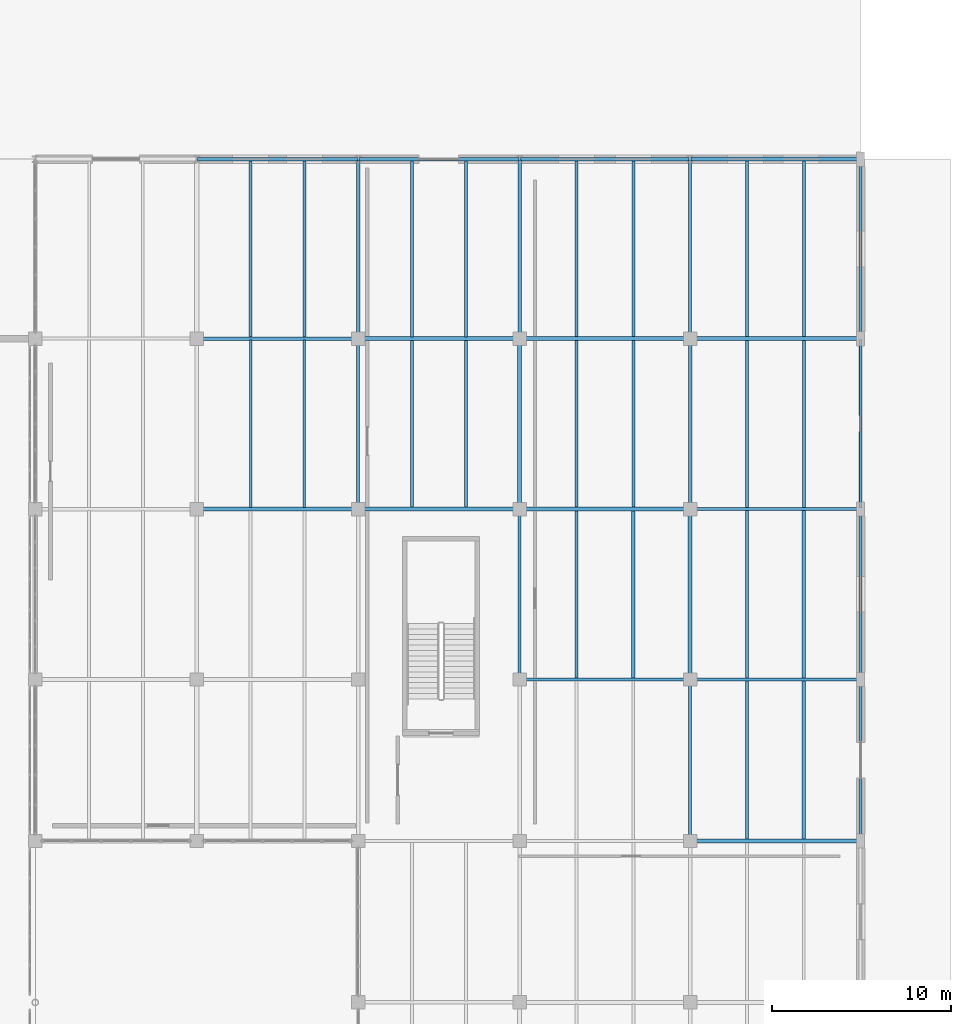
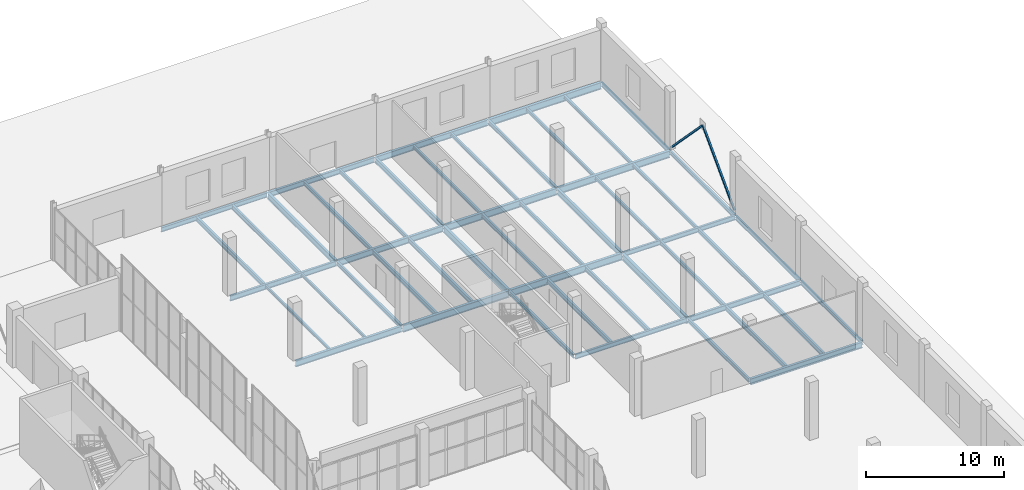
# One storey, part 63 of 103: 50 beams, 2 members.
"""IFC4 building model written with IfcOpenShell, lengths in metres."""

from ifc_helpers import new_model, si_unit, direction, frame, origin, origin_2d, place, context, subcontext, project, spatial, hollow_rectangle, i_section, extrude, material, material_profile, profile_set, type_object, element, save


model = new_model("IFC4")

# Units and contexts
model_context = context("Model", 3, precision=1e-05, world=origin(), true_north=direction((0.0, 1.0)))
body_context = subcontext(model_context, "Body", "Model", "MODEL_VIEW")
ifc_project = project(units=[si_unit("LENGTHUNIT", "METRE"), si_unit("AREAUNIT", "SQUARE_METRE"), si_unit("VOLUMEUNIT", "CUBIC_METRE"), si_unit("PLANEANGLEUNIT", "RADIAN"), si_unit("MASSUNIT", "GRAM", prefix="KILO")], contexts=[model_context])

# Site, building, storey
site_placement = place(None, origin())
site = spatial("IfcSite", under=ifc_project, at=site_placement, CompositionType="ELEMENT")
building_placement = place(site_placement, origin())
building = spatial("IfcBuilding", under=site, at=building_placement, Name="Marnock Terrace Opera House", CompositionType="ELEMENT")
storey_placement = place(building_placement, origin())
storey = spatial("IfcBuildingStorey", under=building, at=storey_placement, Name="L00", CompositionType="ELEMENT", Elevation=0.0)

# Beams
ifc_material_1 = material(Name="Steel Grade 350 (AS/NZS 3679.1)", Category="steel")
ifc_material_profile_1 = material_profile(ifc_material_1, i_section(OverallWidth=0.1708984375, OverallDepth=0.355712890625, WebThickness=0.00732421875, FlangeThickness=0.011474609375, FilletRadius=0.011474609375, at=origin_2d()))
ifc_profile_set_1 = profile_set([ifc_material_profile_1], Name="Steel Grade 350 (AS/NZS 3679.1)")
beam_type_1 = type_object("IfcBeamType", Name="BM-GIRD-360", PredefinedType="BEAM", material=ifc_profile_set_1)
for number, where, z_axis, x_axis, name in (
    (1, (136.0, 84.550048828125, -0.477783203125), (0.0, 1.0, 0.0), (-1.0, 0.0, 0.0), "L00 girder (X=136.0, 84.5..94.0)"),
    (2, (145.0, 75.050048828125, -0.477783203125), (0.0, 1.0, 0.0), (-1.0, 0.0, 0.0), "L00 girder (X=145.0, 75.0..84.5)"),
):
    element("IfcBeam", number, at=place(storey_placement, frame(where, z_axis=z_axis, x_axis=x_axis)), inside=storey, type_object=beam_type_1, Name=name, PredefinedType="BEAM", context=body_context, shape_type="SweptSolid", body=[
        extrude(i_section(OverallWidth=0.1708984375, OverallDepth=0.355712890625, WebThickness=0.00732421875, FlangeThickness=0.011474609375, FilletRadius=0.011474609375, at=origin_2d()), origin(), (0.0, 0.0, 1.0), 9.39990234375),
    ])
beam_1_placement = place(storey_placement, frame((154.5, 66.050048828125, -0.477783203125), z_axis=(0.0, 1.0, 0.0), x_axis=(-1.0, 0.0, 0.0)))
element("IfcBeam", 3, at=beam_1_placement, inside=storey, type_object=beam_type_1, Name="L00 girder (X=154.5, 66.0..75.0)", PredefinedType="BEAM", context=body_context, shape_type="SweptSolid", body=[
    extrude(i_section(OverallWidth=0.1708984375, OverallDepth=0.355712890625, WebThickness=0.00732421875, FlangeThickness=0.011474609375, FilletRadius=0.011474609375, at=origin_2d()), origin(), (0.0, 0.0, 1.0), 8.89990234375),
])
beam_2_placement = place(storey_placement, frame((154.5, 94.050048828125, -0.477783203125), z_axis=(0.0, 1.0, 0.0), x_axis=(-1.0, 0.0, 0.0)))
element("IfcBeam", 4, at=beam_2_placement, inside=storey, type_object=beam_type_1, Name="L00 girder (X=154.5, 94.0..104.0)", PredefinedType="BEAM", context=body_context, shape_type="SweptSolid", body=[
    extrude(i_section(OverallWidth=0.1708984375, OverallDepth=0.355712890625, WebThickness=0.00732421875, FlangeThickness=0.011474609375, FilletRadius=0.011474609375, at=origin_2d()), origin(), (0.0, 0.0, 1.0), 9.89990234375),
])
ifc_material_profile_2 = material_profile(ifc_material_1, i_section(OverallWidth=0.177978515625, OverallDepth=0.402587890625, WebThickness=0.007568359375, FlangeThickness=0.010986328125, FilletRadius=0.011474609375, at=origin_2d()))
ifc_profile_set_2 = profile_set([ifc_material_profile_2], Name="Steel Grade 350 (AS/NZS 3679.1)")
beam_type_2 = type_object("IfcBeamType", Name="BM-GIRD-410", PredefinedType="BEAM", material=ifc_profile_set_2)
for number, where, z_axis, x_axis, name in (
    (5, (145.050048828125, 75.0, -0.501220703125), (1.0, 0.0, 0.0), (0.0, 1.0, 0.0), "L00 girder (145.0..154.5, Y=75.0)"),
    (6, (154.550048828125, 84.5, -0.501220703125), (1.0, 0.0, 0.0), (0.0, 1.0, 0.0), "L00 girder (154.5..164.0, Y=84.5)"),
):
    element("IfcBeam", number, at=place(storey_placement, frame(where, z_axis=z_axis, x_axis=x_axis)), inside=storey, type_object=beam_type_2, Name=name, PredefinedType="BEAM", context=body_context, shape_type="SweptSolid", body=[
        extrude(i_section(OverallWidth=0.177978515625, OverallDepth=0.402587890625, WebThickness=0.007568359375, FlangeThickness=0.010986328125, FilletRadius=0.011474609375, at=origin_2d()), origin(), (0.0, 0.0, 1.0), 9.39990234375),
    ])
beam_3_placement = place(storey_placement, frame((127.050048828125, 104.0, -0.501220703125), z_axis=(1.0, 0.0, 0.0), x_axis=(0.0, 1.0, 0.0)))
element("IfcBeam", 7, at=beam_3_placement, inside=storey, type_object=beam_type_2, Name="L00 girder (127.0..136.0, Y=104.0)", PredefinedType="BEAM", context=body_context, shape_type="SweptSolid", body=[
    extrude(i_section(OverallWidth=0.177978515625, OverallDepth=0.402587890625, WebThickness=0.007568359375, FlangeThickness=0.010986328125, FilletRadius=0.011474609375, at=origin_2d()), origin(), (0.0, 0.0, 1.0), 8.89990234375),
])
ifc_material_profile_3 = material_profile(ifc_material_1, i_section(OverallWidth=0.19091796875, OverallDepth=0.46044921875, WebThickness=0.010009765625, FlangeThickness=0.01611328125, FilletRadius=0.011474609375, at=origin_2d()))
ifc_profile_set_3 = profile_set([ifc_material_profile_3], Name="Steel Grade 350 (AS/NZS 3679.1)")
beam_type_3 = type_object("IfcBeamType", Name="BM-GIRD-460A", PredefinedType="BEAM", material=ifc_profile_set_3)
beam_4_placement = place(storey_placement, frame((154.550048828125, 75.0, -0.5302734375), z_axis=(1.0, 0.0, 0.0), x_axis=(0.0, 1.0, 0.0)))
element("IfcBeam", 8, at=beam_4_placement, inside=storey, type_object=beam_type_3, Name="L00 girder (154.5..164.0, Y=75.0)", PredefinedType="BEAM", context=body_context, shape_type="SweptSolid", body=[
    extrude(i_section(OverallWidth=0.19091796875, OverallDepth=0.46044921875, WebThickness=0.010009765625, FlangeThickness=0.01611328125, FilletRadius=0.011474609375, at=origin_2d()), origin(), (0.0, 0.0, 1.0), 9.39990234375),
])
for number, where, z_axis, x_axis, name in (
    (9, (127.050048828125, 94.0, -0.5302734375), (1.0, 0.0, 0.0), (0.0, 1.0, 0.0), "L00 girder (127.0..136.0, Y=94.0)"),
    (10, (136.050048828125, 104.0, -0.5302734375), (1.0, 0.0, 0.0), (0.0, 1.0, 0.0), "L00 girder (136.0..145.0, Y=104.0)"),
):
    element("IfcBeam", number, at=place(storey_placement, frame(where, z_axis=z_axis, x_axis=x_axis)), inside=storey, type_object=beam_type_3, Name=name, PredefinedType="BEAM", context=body_context, shape_type="SweptSolid", body=[
        extrude(i_section(OverallWidth=0.19091796875, OverallDepth=0.46044921875, WebThickness=0.010009765625, FlangeThickness=0.01611328125, FilletRadius=0.011474609375, at=origin_2d()), origin(), (0.0, 0.0, 1.0), 8.89990234375),
    ])
ifc_material_profile_4 = material_profile(ifc_material_1, i_section(OverallWidth=0.18994140625, OverallDepth=0.45751953125, WebThickness=0.009033203125, FlangeThickness=0.014404296875, FilletRadius=0.011474609375, at=origin_2d()))
ifc_profile_set_4 = profile_set([ifc_material_profile_4], Name="Steel Grade 350 (AS/NZS 3679.1)")
beam_type_4 = type_object("IfcBeamType", Name="BM-GIRD-460B", PredefinedType="BEAM", material=ifc_profile_set_4)
beam_5_placement = place(storey_placement, frame((145.0, 94.050048828125, -0.52880859375), z_axis=(0.0, 1.0, 0.0), x_axis=(-1.0, 0.0, 0.0)))
element("IfcBeam", 11, at=beam_5_placement, inside=storey, type_object=beam_type_4, Name="L00 girder (X=145.0, 94.0..104.0)", PredefinedType="BEAM", context=body_context, shape_type="SweptSolid", body=[
    extrude(i_section(OverallWidth=0.18994140625, OverallDepth=0.45751953125, WebThickness=0.009033203125, FlangeThickness=0.014404296875, FilletRadius=0.011474609375, at=origin_2d()), origin(), (0.0, 0.0, 1.0), 9.89990234375),
])
ifc_material_profile_5 = material_profile(ifc_material_1, i_section(OverallWidth=0.208984375, OverallDepth=0.532958984375, WebThickness=0.01025390625, FlangeThickness=0.015625, FilletRadius=0.013916015625, at=origin_2d()))
ifc_profile_set_5 = profile_set([ifc_material_profile_5], Name="Steel Grade 350 (AS/NZS 3679.1)")
beam_type_5 = type_object("IfcBeamType", Name="BM-GIRD-530A", PredefinedType="BEAM", material=ifc_profile_set_5)
beam_6_placement = place(storey_placement, frame((154.550048828125, 66.0, -0.56640625), z_axis=(1.0, 0.0, 0.0), x_axis=(0.0, 1.0, 0.0)))
element("IfcBeam", 12, at=beam_6_placement, inside=storey, type_object=beam_type_5, Name="L00 girder (154.5..164.0, Y=66.0)", PredefinedType="BEAM", context=body_context, shape_type="SweptSolid", body=[
    extrude(i_section(OverallWidth=0.208984375, OverallDepth=0.532958984375, WebThickness=0.01025390625, FlangeThickness=0.015625, FilletRadius=0.013916015625, at=origin_2d()), origin(), (0.0, 0.0, 1.0), 9.39990234375),
])
for number, where, z_axis, x_axis, name in (
    (13, (127.050048828125, 84.5, -0.56640625), (1.0, 0.0, 0.0), (0.0, 1.0, 0.0), "L00 girder (127.0..136.0, Y=84.5)"),
    (14, (136.050048828125, 94.0, -0.56640625), (1.0, 0.0, 0.0), (0.0, 1.0, 0.0), "L00 girder (136.0..145.0, Y=94.0)"),
):
    element("IfcBeam", number, at=place(storey_placement, frame(where, z_axis=z_axis, x_axis=x_axis)), inside=storey, type_object=beam_type_5, Name=name, PredefinedType="BEAM", context=body_context, shape_type="SweptSolid", body=[
        extrude(i_section(OverallWidth=0.208984375, OverallDepth=0.532958984375, WebThickness=0.01025390625, FlangeThickness=0.015625, FilletRadius=0.013916015625, at=origin_2d()), origin(), (0.0, 0.0, 1.0), 8.89990234375),
    ])
beam_7_placement = place(storey_placement, frame((145.050048828125, 104.0, -0.56640625), z_axis=(1.0, 0.0, 0.0), x_axis=(0.0, 1.0, 0.0)))
element("IfcBeam", 15, at=beam_7_placement, inside=storey, type_object=beam_type_5, Name="L00 girder (145.0..154.5, Y=104.0)", PredefinedType="BEAM", context=body_context, shape_type="SweptSolid", body=[
    extrude(i_section(OverallWidth=0.208984375, OverallDepth=0.532958984375, WebThickness=0.01025390625, FlangeThickness=0.015625, FilletRadius=0.013916015625, at=origin_2d()), origin(), (0.0, 0.0, 1.0), 9.39990234375),
])
ifc_material_profile_6 = material_profile(ifc_material_1, i_section(OverallWidth=0.208984375, OverallDepth=0.528076171875, WebThickness=0.009521484375, FlangeThickness=0.01318359375, FilletRadius=0.013916015625, at=origin_2d()))
ifc_profile_set_6 = profile_set([ifc_material_profile_6], Name="Steel Grade 350 (AS/NZS 3679.1)")
beam_type_6 = type_object("IfcBeamType", Name="BM-GIRD-530B", PredefinedType="BEAM", material=ifc_profile_set_6)
beam_8_placement = place(storey_placement, frame((136.0, 94.050048828125, -0.56396484375), z_axis=(0.0, 1.0, 0.0), x_axis=(-1.0, 0.0, 0.0)))
element("IfcBeam", 16, at=beam_8_placement, inside=storey, type_object=beam_type_6, Name="L00 girder (X=136.0, 94.0..104.0)", PredefinedType="BEAM", context=body_context, shape_type="SweptSolid", body=[
    extrude(i_section(OverallWidth=0.208984375, OverallDepth=0.528076171875, WebThickness=0.009521484375, FlangeThickness=0.01318359375, FilletRadius=0.013916015625, at=origin_2d()), origin(), (0.0, 0.0, 1.0), 9.89990234375),
])
beam_9_placement = place(storey_placement, frame((154.5, 84.550048828125, -0.56396484375), z_axis=(0.0, 1.0, 0.0), x_axis=(-1.0, 0.0, 0.0)))
element("IfcBeam", 17, at=beam_9_placement, inside=storey, type_object=beam_type_6, Name="L00 girder (X=154.5, 84.5..94.0)", PredefinedType="BEAM", context=body_context, shape_type="SweptSolid", body=[
    extrude(i_section(OverallWidth=0.208984375, OverallDepth=0.528076171875, WebThickness=0.009521484375, FlangeThickness=0.01318359375, FilletRadius=0.013916015625, at=origin_2d()), origin(), (0.0, 0.0, 1.0), 9.39990234375),
])
ifc_material_profile_7 = material_profile(ifc_material_1, i_section(OverallWidth=0.22900390625, OverallDepth=0.611572265625, WebThickness=0.011962890625, FlangeThickness=0.01953125, FilletRadius=0.013916015625, at=origin_2d()))
ifc_profile_set_7 = profile_set([ifc_material_profile_7], Name="Steel Grade 350 (AS/NZS 3679.1)")
beam_type_7 = type_object("IfcBeamType", Name="BM-GIRD-610A", PredefinedType="BEAM", material=ifc_profile_set_7)
for number, where, z_axis, x_axis, name in (
    (18, (145.050048828125, 84.5, -0.605712890625), (1.0, 0.0, 0.0), (0.0, 1.0, 0.0), "L00 girder (145.0..154.5, Y=84.5)"),
    (19, (154.550048828125, 94.0, -0.605712890625), (1.0, 0.0, 0.0), (0.0, 1.0, 0.0), "L00 girder (154.5..164.0, Y=94.0)"),
):
    element("IfcBeam", number, at=place(storey_placement, frame(where, z_axis=z_axis, x_axis=x_axis)), inside=storey, type_object=beam_type_7, Name=name, PredefinedType="BEAM", context=body_context, shape_type="SweptSolid", body=[
        extrude(i_section(OverallWidth=0.22900390625, OverallDepth=0.611572265625, WebThickness=0.011962890625, FlangeThickness=0.01953125, FilletRadius=0.013916015625, at=origin_2d()), origin(), (0.0, 0.0, 1.0), 9.39990234375),
    ])
ifc_material_profile_8 = material_profile(ifc_material_1, i_section(OverallWidth=0.22802734375, OverallDepth=0.60693359375, WebThickness=0.01123046875, FlangeThickness=0.017333984375, FilletRadius=0.013916015625, at=origin_2d()))
ifc_profile_set_8 = profile_set([ifc_material_profile_8], Name="Steel Grade 350 (AS/NZS 3679.1)")
beam_type_8 = type_object("IfcBeamType", Name="BM-GIRD-610B", PredefinedType="BEAM", material=ifc_profile_set_8)
beam_10_placement = place(storey_placement, frame((136.050048828125, 84.5, -0.603515625), z_axis=(1.0, 0.0, 0.0), x_axis=(0.0, 1.0, 0.0)))
element("IfcBeam", 20, at=beam_10_placement, inside=storey, type_object=beam_type_8, Name="L00 girder (136.0..145.0, Y=84.5)", PredefinedType="BEAM", context=body_context, shape_type="SweptSolid", body=[
    extrude(i_section(OverallWidth=0.22802734375, OverallDepth=0.60693359375, WebThickness=0.01123046875, FlangeThickness=0.017333984375, FilletRadius=0.013916015625, at=origin_2d()), origin(), (0.0, 0.0, 1.0), 8.89990234375),
])
for number, where, z_axis, x_axis, name in (
    (21, (145.050048828125, 94.0, -0.603515625), (1.0, 0.0, 0.0), (0.0, 1.0, 0.0), "L00 girder (145.0..154.5, Y=94.0)"),
    (22, (154.550048828125, 104.0, -0.603515625), (1.0, 0.0, 0.0), (0.0, 1.0, 0.0), "L00 girder (154.5..164.0, Y=104.0)"),
):
    element("IfcBeam", number, at=place(storey_placement, frame(where, z_axis=z_axis, x_axis=x_axis)), inside=storey, type_object=beam_type_8, Name=name, PredefinedType="BEAM", context=body_context, shape_type="SweptSolid", body=[
        extrude(i_section(OverallWidth=0.22802734375, OverallDepth=0.60693359375, WebThickness=0.01123046875, FlangeThickness=0.017333984375, FilletRadius=0.013916015625, at=origin_2d()), origin(), (0.0, 0.0, 1.0), 9.39990234375),
    ])
ifc_material_profile_9 = material_profile(ifc_material_1, i_section(OverallWidth=0.22802734375, OverallDepth=0.60205078125, WebThickness=0.010498046875, FlangeThickness=0.014892578125, FilletRadius=0.013916015625, at=origin_2d()))
ifc_profile_set_9 = profile_set([ifc_material_profile_9], Name="Steel Grade 350 (AS/NZS 3679.1)")
beam_type_9 = type_object("IfcBeamType", Name="BM-GIRD-610C", PredefinedType="BEAM", material=ifc_profile_set_9)
for number, where, z_axis, x_axis, name in (
    (23, (145.0, 84.550048828125, -0.60107421875), (0.0, 1.0, 0.0), (-1.0, 0.0, 0.0), "L00 girder (X=145.0, 84.5..94.0)"),
    (24, (154.5, 75.050048828125, -0.60107421875), (0.0, 1.0, 0.0), (-1.0, 0.0, 0.0), "L00 girder (X=154.5, 75.0..84.5)"),
):
    element("IfcBeam", number, at=place(storey_placement, frame(where, z_axis=z_axis, x_axis=x_axis)), inside=storey, type_object=beam_type_9, Name=name, PredefinedType="BEAM", context=body_context, shape_type="SweptSolid", body=[
        extrude(i_section(OverallWidth=0.22802734375, OverallDepth=0.60205078125, WebThickness=0.010498046875, FlangeThickness=0.014892578125, FilletRadius=0.013916015625, at=origin_2d()), origin(), (0.0, 0.0, 1.0), 9.39990234375),
    ])
ifc_material_profile_10 = material_profile(ifc_material_1, i_section(OverallWidth=0.14599609375, OverallDepth=0.256103515625, WebThickness=0.00634765625, FlangeThickness=0.010986328125, FilletRadius=0.0087890625, at=origin_2d()))
ifc_profile_set_10 = profile_set([ifc_material_profile_10], Name="Steel Grade 350 (AS/NZS 3679.1)")
beam_type_10 = type_object("IfcBeamType", Name="BM-JOIST-250", PredefinedType="JOIST", material=ifc_profile_set_10)
for number, where, z_axis, x_axis, name in (
    (25, (130.0, 84.599609375, -0.427978515625), (0.0, 1.0, 0.0), (-1.0, 0.0, 0.0), "L00 secondary joist 14.10.1"),
    (26, (133.0, 84.599609375, -0.427978515625), (0.0, 1.0, 0.0), (-1.0, 0.0, 0.0), "L00 secondary joist 14.10.2"),
):
    element("IfcBeam", number, at=place(storey_placement, frame(where, z_axis=z_axis, x_axis=x_axis)), inside=storey, type_object=beam_type_10, Name=name, PredefinedType="JOIST", context=body_context, shape_type="SweptSolid", body=[
        extrude(i_section(OverallWidth=0.14599609375, OverallDepth=0.256103515625, WebThickness=0.00634765625, FlangeThickness=0.010986328125, FilletRadius=0.0087890625, at=origin_2d()), origin(), (0.0, 0.0, 1.0), 9.309814453125),
    ])
ifc_material_profile_11 = material_profile(ifc_material_1, i_section(OverallWidth=0.166015625, OverallDepth=0.30712890625, WebThickness=0.006591796875, FlangeThickness=0.01171875, FilletRadius=0.011474609375, at=origin_2d()))
ifc_profile_set_11 = profile_set([ifc_material_profile_11], Name="Steel Grade 350 (AS/NZS 3679.1)")
beam_type_11 = type_object("IfcBeamType", Name="BM-JOIST-310A", PredefinedType="JOIST", material=ifc_profile_set_11)
for number, where, z_axis, x_axis, name in (
    (27, (148.166748046875, 94.10888671875, -0.45361328125), (0.0, 1.0, 0.0), (-1.0, 0.0, 0.0), "L00 secondary joist 16.11.1"),
    (28, (151.333251953125, 94.10888671875, -0.45361328125), (0.0, 1.0, 0.0), (-1.0, 0.0, 0.0), "L00 secondary joist 16.11.2"),
):
    element("IfcBeam", number, at=place(storey_placement, frame(where, z_axis=z_axis, x_axis=x_axis)), inside=storey, type_object=beam_type_11, Name=name, PredefinedType="JOIST", context=body_context, shape_type="SweptSolid", body=[
        extrude(i_section(OverallWidth=0.166015625, OverallDepth=0.30712890625, WebThickness=0.006591796875, FlangeThickness=0.01171875, FilletRadius=0.011474609375, at=origin_2d()), origin(), (0.0, 0.0, 1.0), 9.79150390625),
    ])
for number, where, z_axis, x_axis, name in (
    (29, (157.666748046875, 84.583984375, -0.45361328125), (0.0, 1.0, 0.0), (-1.0, 0.0, 0.0), "L00 secondary joist 17.10.1"),
    (30, (160.833251953125, 84.583984375, -0.45361328125), (0.0, 1.0, 0.0), (-1.0, 0.0, 0.0), "L00 secondary joist 17.10.2"),
):
    element("IfcBeam", number, at=place(storey_placement, frame(where, z_axis=z_axis, x_axis=x_axis)), inside=storey, type_object=beam_type_11, Name=name, PredefinedType="JOIST", context=body_context, shape_type="SweptSolid", body=[
        extrude(i_section(OverallWidth=0.166015625, OverallDepth=0.30712890625, WebThickness=0.006591796875, FlangeThickness=0.01171875, FilletRadius=0.011474609375, at=origin_2d()), origin(), (0.0, 0.0, 1.0), 9.306396484375),
    ])
ifc_material_profile_12 = material_profile(ifc_material_1, i_section(OverallWidth=0.1650390625, OverallDepth=0.3037109375, WebThickness=0.006103515625, FlangeThickness=0.01025390625, FilletRadius=0.011474609375, at=origin_2d()))
ifc_profile_set_12 = profile_set([ifc_material_profile_12], Name="Steel Grade 350 (AS/NZS 3679.1)")
beam_type_12 = type_object("IfcBeamType", Name="BM-JOIST-310B", PredefinedType="JOIST", material=ifc_profile_set_12)
for number, where, z_axis, x_axis, name in (
    (31, (157.666748046875, 94.109619140625, -0.451904296875), (0.0, 1.0, 0.0), (-1.0, 0.0, 0.0), "L00 secondary joist 17.11.1"),
    (32, (160.833251953125, 94.109619140625, -0.451904296875), (0.0, 1.0, 0.0), (-1.0, 0.0, 0.0), "L00 secondary joist 17.11.2"),
):
    element("IfcBeam", number, at=place(storey_placement, frame(where, z_axis=z_axis, x_axis=x_axis)), inside=storey, type_object=beam_type_12, Name=name, PredefinedType="JOIST", context=body_context, shape_type="SweptSolid", body=[
        extrude(i_section(OverallWidth=0.1650390625, OverallDepth=0.3037109375, WebThickness=0.006103515625, FlangeThickness=0.01025390625, FilletRadius=0.011474609375, at=origin_2d()), origin(), (0.0, 0.0, 1.0), 9.781494140625),
    ])
ifc_material_profile_13 = material_profile(ifc_material_1, i_section(OverallWidth=0.172119140625, OverallDepth=0.358642578125, WebThickness=0.008056640625, FlangeThickness=0.012939453125, FilletRadius=0.011474609375, at=origin_2d()))
ifc_profile_set_13 = profile_set([ifc_material_profile_13], Name="Steel Grade 350 (AS/NZS 3679.1)")
beam_type_13 = type_object("IfcBeamType", Name="BM-JOIST-360", PredefinedType="JOIST", material=ifc_profile_set_13)
for number, where, z_axis, x_axis, name in (
    (33, (139.0, 94.099609375, -0.479248046875), (0.0, 1.0, 0.0), (-1.0, 0.0, 0.0), "L00 secondary joist 15.11.1"),
    (34, (142.0, 94.099609375, -0.479248046875), (0.0, 1.0, 0.0), (-1.0, 0.0, 0.0), "L00 secondary joist 15.11.2"),
):
    element("IfcBeam", number, at=place(storey_placement, frame(where, z_axis=z_axis, x_axis=x_axis)), inside=storey, type_object=beam_type_13, Name=name, PredefinedType="JOIST", context=body_context, shape_type="SweptSolid", body=[
        extrude(i_section(OverallWidth=0.172119140625, OverallDepth=0.358642578125, WebThickness=0.008056640625, FlangeThickness=0.012939453125, FilletRadius=0.011474609375, at=origin_2d()), origin(), (0.0, 0.0, 1.0), 9.809814453125),
    ])
for number, where, z_axis, x_axis, name in (
    (35, (148.166748046875, 84.609619140625, -0.479248046875), (0.0, 1.0, 0.0), (-1.0, 0.0, 0.0), "L00 secondary joist 16.10.1"),
    (36, (151.333251953125, 84.609619140625, -0.479248046875), (0.0, 1.0, 0.0), (-1.0, 0.0, 0.0), "L00 secondary joist 16.10.2"),
):
    element("IfcBeam", number, at=place(storey_placement, frame(where, z_axis=z_axis, x_axis=x_axis)), inside=storey, type_object=beam_type_13, Name=name, PredefinedType="JOIST", context=body_context, shape_type="SweptSolid", body=[
        extrude(i_section(OverallWidth=0.172119140625, OverallDepth=0.358642578125, WebThickness=0.008056640625, FlangeThickness=0.012939453125, FilletRadius=0.011474609375, at=origin_2d()), origin(), (0.0, 0.0, 1.0), 9.281494140625),
    ])
for number, where, z_axis, x_axis, name in (
    (37, (157.666748046875, 75.090576171875, -0.479248046875), (0.0, 1.0, 0.0), (-1.0, 0.0, 0.0), "L00 secondary joist 17.9.1"),
    (38, (160.833251953125, 75.090576171875, -0.479248046875), (0.0, 1.0, 0.0), (-1.0, 0.0, 0.0), "L00 secondary joist 17.9.2"),
):
    element("IfcBeam", number, at=place(storey_placement, frame(where, z_axis=z_axis, x_axis=x_axis)), inside=storey, type_object=beam_type_13, Name=name, PredefinedType="JOIST", context=body_context, shape_type="SweptSolid", body=[
        extrude(i_section(OverallWidth=0.172119140625, OverallDepth=0.358642578125, WebThickness=0.008056640625, FlangeThickness=0.012939453125, FilletRadius=0.011474609375, at=origin_2d()), origin(), (0.0, 0.0, 1.0), 9.325439453125),
    ])
ifc_material_profile_14 = material_profile(ifc_material_1, i_section(OverallWidth=0.177978515625, OverallDepth=0.406494140625, WebThickness=0.0078125, FlangeThickness=0.0126953125, FilletRadius=0.011474609375, at=origin_2d()))
ifc_profile_set_14 = profile_set([ifc_material_profile_14], Name="Steel Grade 350 (AS/NZS 3679.1)")
beam_type_14 = type_object("IfcBeamType", Name="BM-JOIST-410", PredefinedType="JOIST", material=ifc_profile_set_14)
for number, where, z_axis, x_axis, name in (
    (39, (130.0, 94.090576171875, -0.503173828125), (0.0, 1.0, 0.0), (-1.0, 0.0, 0.0), "L00 secondary joist 14.11.1"),
    (40, (133.0, 94.090576171875, -0.503173828125), (0.0, 1.0, 0.0), (-1.0, 0.0, 0.0), "L00 secondary joist 14.11.2"),
):
    element("IfcBeam", number, at=place(storey_placement, frame(where, z_axis=z_axis, x_axis=x_axis)), inside=storey, type_object=beam_type_14, Name=name, PredefinedType="JOIST", context=body_context, shape_type="SweptSolid", body=[
        extrude(i_section(OverallWidth=0.177978515625, OverallDepth=0.406494140625, WebThickness=0.0078125, FlangeThickness=0.0126953125, FilletRadius=0.011474609375, at=origin_2d()), origin(), (0.0, 0.0, 1.0), 9.825439453125),
    ])
for number, where, z_axis, x_axis, name in (
    (41, (139.0, 84.60888671875, -0.503173828125), (0.0, 1.0, 0.0), (-1.0, 0.0, 0.0), "L00 secondary joist 15.10.1"),
    (42, (142.0, 84.60888671875, -0.503173828125), (0.0, 1.0, 0.0), (-1.0, 0.0, 0.0), "L00 secondary joist 15.10.2"),
):
    element("IfcBeam", number, at=place(storey_placement, frame(where, z_axis=z_axis, x_axis=x_axis)), inside=storey, type_object=beam_type_14, Name=name, PredefinedType="JOIST", context=body_context, shape_type="SweptSolid", body=[
        extrude(i_section(OverallWidth=0.177978515625, OverallDepth=0.406494140625, WebThickness=0.0078125, FlangeThickness=0.0126953125, FilletRadius=0.011474609375, at=origin_2d()), origin(), (0.0, 0.0, 1.0), 9.29150390625),
    ])
for number, where, z_axis, x_axis, name in (
    (43, (148.166748046875, 75.083984375, -0.503173828125), (0.0, 1.0, 0.0), (-1.0, 0.0, 0.0), "L00 secondary joist 16.9.1"),
    (44, (151.333251953125, 75.083984375, -0.503173828125), (0.0, 1.0, 0.0), (-1.0, 0.0, 0.0), "L00 secondary joist 16.9.2"),
):
    element("IfcBeam", number, at=place(storey_placement, frame(where, z_axis=z_axis, x_axis=x_axis)), inside=storey, type_object=beam_type_14, Name=name, PredefinedType="JOIST", context=body_context, shape_type="SweptSolid", body=[
        extrude(i_section(OverallWidth=0.177978515625, OverallDepth=0.406494140625, WebThickness=0.0078125, FlangeThickness=0.0126953125, FilletRadius=0.011474609375, at=origin_2d()), origin(), (0.0, 0.0, 1.0), 9.306396484375),
    ])
for number, where, z_axis, x_axis, name in (
    (45, (157.666748046875, 66.099609375, -0.503173828125), (0.0, 1.0, 0.0), (-1.0, 0.0, 0.0), "L00 secondary joist 17.8.1"),
    (46, (160.833251953125, 66.099609375, -0.503173828125), (0.0, 1.0, 0.0), (-1.0, 0.0, 0.0), "L00 secondary joist 17.8.2"),
):
    element("IfcBeam", number, at=place(storey_placement, frame(where, z_axis=z_axis, x_axis=x_axis)), inside=storey, type_object=beam_type_14, Name=name, PredefinedType="JOIST", context=body_context, shape_type="SweptSolid", body=[
        extrude(i_section(OverallWidth=0.177978515625, OverallDepth=0.406494140625, WebThickness=0.0078125, FlangeThickness=0.0126953125, FilletRadius=0.011474609375, at=origin_2d()), origin(), (0.0, 0.0, 1.0), 8.809814453125),
    ])
ifc_material_profile_15 = material_profile(ifc_material_1, i_section(OverallWidth=0.172119140625, OverallDepth=0.358642578125, WebThickness=0.008056640625, FlangeThickness=0.012939453125, FilletRadius=0.011474609375, at=origin_2d()))
ifc_profile_set_15 = profile_set([ifc_material_profile_15], Name="Steel Grade 350 (AS/NZS 3679.1)")
beam_type_15 = type_object("IfcBeamType", Name="BM-SPAN-360", PredefinedType="SPANDREL", material=ifc_profile_set_15)
beam_11_placement = place(storey_placement, frame((164.0, 66.050048828125, -0.479248046875), z_axis=(0.0, 1.0, 0.0), x_axis=(-1.0, 0.0, 0.0)))
element("IfcBeam", 47, at=beam_11_placement, inside=storey, type_object=beam_type_15, Name="L00 girder (X=164.0, 66.0..75.0)", PredefinedType="SPANDREL", context=body_context, shape_type="SweptSolid", body=[
    extrude(i_section(OverallWidth=0.172119140625, OverallDepth=0.358642578125, WebThickness=0.008056640625, FlangeThickness=0.012939453125, FilletRadius=0.011474609375, at=origin_2d()), origin(), (0.0, 0.0, 1.0), 8.89990234375),
])
for number, where, z_axis, x_axis, name in (
    (48, (164.0, 75.050048828125, -0.479248046875), (0.0, 1.0, 0.0), (-1.0, 0.0, 0.0), "L00 girder (X=164.0, 75.0..84.5)"),
    (49, (164.0, 84.550048828125, -0.479248046875), (0.0, 1.0, 0.0), (-1.0, 0.0, 0.0), "L00 girder (X=164.0, 84.5..94.0)"),
):
    element("IfcBeam", number, at=place(storey_placement, frame(where, z_axis=z_axis, x_axis=x_axis)), inside=storey, type_object=beam_type_15, Name=name, PredefinedType="SPANDREL", context=body_context, shape_type="SweptSolid", body=[
        extrude(i_section(OverallWidth=0.172119140625, OverallDepth=0.358642578125, WebThickness=0.008056640625, FlangeThickness=0.012939453125, FilletRadius=0.011474609375, at=origin_2d()), origin(), (0.0, 0.0, 1.0), 9.39990234375),
    ])
beam_12_placement = place(storey_placement, frame((164.0, 94.050048828125, -0.479248046875), z_axis=(0.0, 1.0, 0.0), x_axis=(-1.0, 0.0, 0.0)))
element("IfcBeam", 50, at=beam_12_placement, inside=storey, type_object=beam_type_15, Name="L00 girder (X=164.0, 94.0..104.0)", PredefinedType="SPANDREL", context=body_context, shape_type="SweptSolid", body=[
    extrude(i_section(OverallWidth=0.172119140625, OverallDepth=0.358642578125, WebThickness=0.008056640625, FlangeThickness=0.012939453125, FilletRadius=0.011474609375, at=origin_2d()), origin(), (0.0, 0.0, 1.0), 9.89990234375),
])

# Members
ifc_material_2 = material(Name="Cold-formed Steel Grade C350L0 (AS/NZS 1163)", Category="steel")
ifc_material_profile_16 = material_profile(ifc_material_2, hollow_rectangle(XDim=0.14990234375, YDim=0.14990234375, WallThickness=0.006103515625, InnerFilletRadius=0.006103515625, OuterFilletRadius=0.011962890625, at=origin_2d()))
ifc_profile_set_16 = profile_set([ifc_material_profile_16], Name="Cold-formed Steel Grade C350L0 (AS/NZS 1163)")
member_type = type_object("IfcMemberType", Name="MEM-BRACE-SHS", PredefinedType="BRACE", material=ifc_profile_set_16)
for number, where, z_axis, x_axis, name in (
    (51, (164.0, 84.64990234375, 0.0), (0.0, 0.694924855012, 0.719082363771), (-1.0, 0.0, 0.0), "L00 chevron brace A"),
    (52, (164.0, 93.85009765625, 0.0), (0.0, -0.694924855012, 0.719082363771), (1.0, 0.0, 0.0), "L00 chevron brace B"),
):
    element("IfcMember", number, at=place(storey_placement, frame(where, z_axis=z_axis, x_axis=x_axis)), inside=storey, type_object=member_type, Name=name, PredefinedType="BRACE", context=body_context, shape_type="SweptSolid", body=[
        extrude(hollow_rectangle(XDim=0.14990234375, YDim=0.14990234375, WallThickness=0.006103515625, InnerFilletRadius=0.006103515625, OuterFilletRadius=0.011962890625, at=origin_2d()), origin(), (0.0, 0.0, 1.0), 6.61962890625),
    ])

save(model, "model.ifc")
